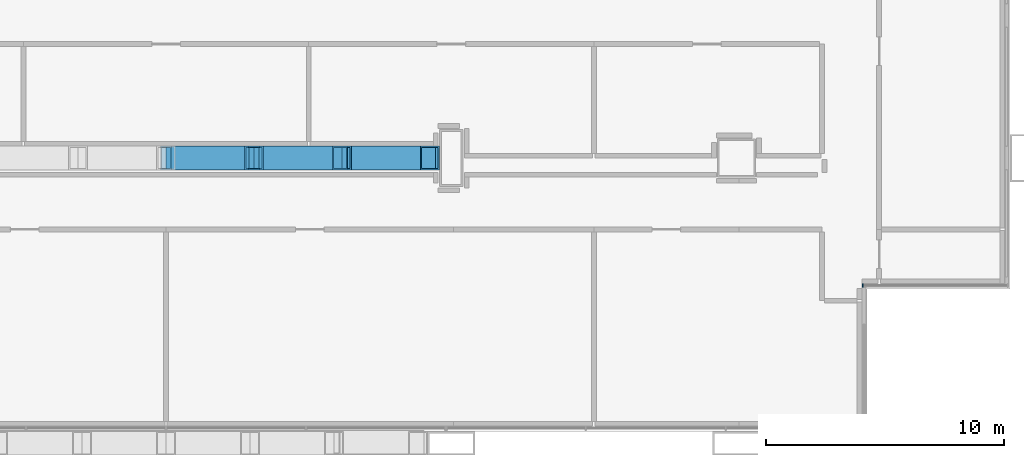
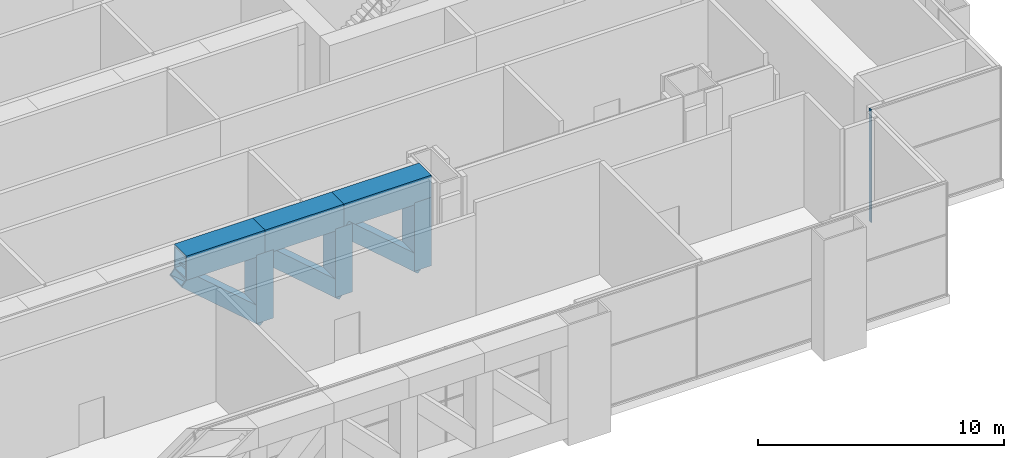
# One storey, part 10 of 27: 7 members, 3 beams, 1 element without a shape of its own.
"""IFC4 building model written with IfcOpenShell, lengths in metres."""

from ifc_helpers import new_model, si_unit, direction, frame, origin, origin_2d, place, context, subcontext, project, spatial, rectangle, hollow_rectangle, extrude, material, material_profile, profile_set, type_object, element, aggregate, save


model = new_model("IFC4")

# Units and contexts
model_context = context("Model", 3, precision=1e-05, world=origin(), true_north=direction((0.0, 1.0)))
body_context = subcontext(model_context, "Body", "Model", "MODEL_VIEW")
ifc_project = project(units=[si_unit("LENGTHUNIT", "METRE"), si_unit("AREAUNIT", "SQUARE_METRE"), si_unit("VOLUMEUNIT", "CUBIC_METRE"), si_unit("PLANEANGLEUNIT", "RADIAN"), si_unit("MASSUNIT", "GRAM", prefix="KILO")], contexts=[model_context])

# Site, building, storey
site_placement = place(None, origin())
site = spatial("IfcSite", under=ifc_project, at=site_placement, CompositionType="ELEMENT")
building_placement = place(site_placement, origin())
building = spatial("IfcBuilding", under=site, at=building_placement, Name="Kitamizu Gate Tower and Museum", CompositionType="ELEMENT")
storey_placement = place(building_placement, frame((0.0, 0.0, 24.0)))
storey = spatial("IfcBuildingStorey", under=building, at=storey_placement, Name="L04", CompositionType="ELEMENT", Elevation=24.0)

# Curtain wall, member
ifc_material_1 = material(Name="Bronze anodised aluminium frame, tinted triple glazing", Category="aluminium")
curtain_wall_type = type_object("IfcCurtainWallType", Name="CURTAIN WALL TYPE F TRANSFER STOREY", PredefinedType="NOTDEFINED", material=ifc_material_1)
curtain_wall_placement = place(storey_placement, origin())
curtain_wall = element("IfcCurtainWall", 1, at=curtain_wall_placement, inside=storey, type_object=curtain_wall_type, Name="Curtain wall CW-F south L04", PredefinedType="NOTDEFINED")
ifc_material_2 = material(Name="Bronze anodised aluminium", Category="aluminium")
ifc_material_profile_1 = material_profile(ifc_material_2, rectangle(XDim=0.050048828125, YDim=0.14990234375, at=origin_2d()), Name="AL 50X150")
ifc_profile_set_1 = profile_set([ifc_material_profile_1], Name="Bronze anodised aluminium")
member_type_1 = type_object("IfcMemberType", Name="MULLION 50 X 150 TYPE F", PredefinedType="MULLION", material=ifc_profile_set_1)
member_placement = place(storey_placement, frame((65.31494140625, 6.635009765625, 0.0), z_axis=(0.0, 0.0, 1.0), x_axis=(1.0, 0.0, 0.0)))
member = element("IfcMember", 2, at=member_placement, type_object=member_type_1, Name="CW-F mullion 1", PredefinedType="MULLION", context=body_context, shape_type="SweptSolid", body=[
    extrude(rectangle(XDim=0.050048828125, YDim=0.14990234375, at=origin_2d()), origin(), (0.0, 0.0, 1.0), 5.60009765625),
])
aggregate(curtain_wall, [member])

# Beams
ifc_material_3 = material(Name="Steel SM490A", Category="steel")
ifc_material_profile_2 = material_profile(ifc_material_3, hollow_rectangle(XDim=1.0, YDim=1.199951171875, WallThickness=0.080078125, at=origin_2d()), Name="BOX 1000x1200x80")
ifc_profile_set_2 = profile_set([ifc_material_profile_2], Name="Steel SM490A")
beam_type = type_object("IfcBeamType", Name="Transfer truss chord TTA1 BOX 1000x1200x80", PredefinedType="BEAM", material=ifc_profile_set_2)
for number, where, z_axis, x_axis, name in (
    (3, (36.0, 12.0, 5.0), (1.0, 0.0, 0.0), (0.0, 1.0, 0.0), "Transfer truss top chord y12-4"),
    (4, (39.699951171875, 12.0, 5.0), (1.0, 0.0, 0.0), (0.0, 1.0, 0.0), "Transfer truss top chord y12-5"),
):
    element("IfcBeam", number, at=place(storey_placement, frame(where, z_axis=z_axis, x_axis=x_axis)), inside=storey, type_object=beam_type, Name=name, PredefinedType="BEAM", context=body_context, shape_type="SweptSolid", body=[
        extrude(hollow_rectangle(XDim=1.0, YDim=1.199951171875, WallThickness=0.080078125, at=origin_2d()), origin(), (0.0, 0.0, 1.0), 3.699951171875),
    ])
beam_placement = place(storey_placement, frame((43.39990234375, 12.0, 5.0), z_axis=(1.0, 0.0, 0.0), x_axis=(0.0, 1.0, 0.0)))
element("IfcBeam", 5, at=beam_placement, inside=storey, type_object=beam_type, Name="Transfer truss top chord y12-6", PredefinedType="BEAM", context=body_context, shape_type="SweptSolid", body=[
    extrude(hollow_rectangle(XDim=1.0, YDim=1.199951171875, WallThickness=0.080078125, at=origin_2d()), origin(), (0.0, 0.0, 1.0), 4.10009765625),
])

# Members
ifc_material_4 = material(Name="Steel SM490A", Category="steel")
ifc_material_profile_3 = material_profile(ifc_material_4, hollow_rectangle(XDim=1.0, YDim=0.699951171875, WallThickness=0.055908203125, at=origin_2d()), Name="BOX 1000x700x56")
ifc_profile_set_3 = profile_set([ifc_material_profile_3], Name="Steel SM490A")
member_type_2 = type_object("IfcMemberType", Name="Transfer truss diagonal TTA2 BOX 1000x700x56", PredefinedType="BRACE", material=ifc_profile_set_3)
for number, where, z_axis, x_axis, name in (
    (6, (39.699951171875, 12.0, 1.199951171875), (-0.756363839845, 0.0, 0.654151161257), (0.0, -1.0, 0.0), "Transfer truss diagonal y12-4"),
    (7, (43.39990234375, 12.0, 1.199951171875), (-0.756363839845, 0.0, 0.654151161257), (0.0, -1.0, 0.0), "Transfer truss diagonal y12-5"),
    (8, (47.10009765625, 12.0, 1.199951171875), (-0.756385195184, 0.0, 0.654126468282), (0.0, -1.0, 0.0), "Transfer truss diagonal y12-6"),
):
    element("IfcMember", number, at=place(storey_placement, frame(where, z_axis=z_axis, x_axis=x_axis)), inside=storey, type_object=member_type_2, Name=name, PredefinedType="BRACE", context=body_context, shape_type="SweptSolid", body=[
        extrude(hollow_rectangle(XDim=1.0, YDim=0.699951171875, WallThickness=0.055908203125, at=origin_2d()), origin(), (0.0, 0.0, 1.0), 4.891845703125),
    ])
ifc_material_5 = material(Name="Steel SM490A", Category="steel")
ifc_material_profile_4 = material_profile(ifc_material_5, hollow_rectangle(XDim=0.800048828125, YDim=1.0, WallThickness=0.055908203125, at=origin_2d()), Name="BOX 800x1000x56")
ifc_profile_set_4 = profile_set([ifc_material_profile_4], Name="Steel SM490A")
member_type_3 = type_object("IfcMemberType", Name="Transfer truss post TTA3 BOX 800x1000x56", PredefinedType="POST", material=ifc_profile_set_4)
for number, where, z_axis, x_axis, name in (
    (9, (39.699951171875, 12.0, 1.10009765625), (0.0, 0.0, 1.0), (1.0, 0.0, 0.0), "Transfer truss post y12-5"),
    (10, (43.39990234375, 12.0, 1.10009765625), (0.0, 0.0, 1.0), (1.0, 0.0, 0.0), "Transfer truss post y12-6"),
    (11, (47.10009765625, 12.0, 1.10009765625), (0.0, 0.0, 1.0), (1.0, 0.0, 0.0), "Transfer truss post y12-7"),
):
    element("IfcMember", number, at=place(storey_placement, frame(where, z_axis=z_axis, x_axis=x_axis)), inside=storey, type_object=member_type_3, Name=name, PredefinedType="POST", context=body_context, shape_type="SweptSolid", body=[
        extrude(hollow_rectangle(XDim=0.800048828125, YDim=1.0, WallThickness=0.055908203125, at=origin_2d()), origin(), (0.0, 0.0, 1.0), 3.39990234375),
    ])

save(model, "model.ifc")
